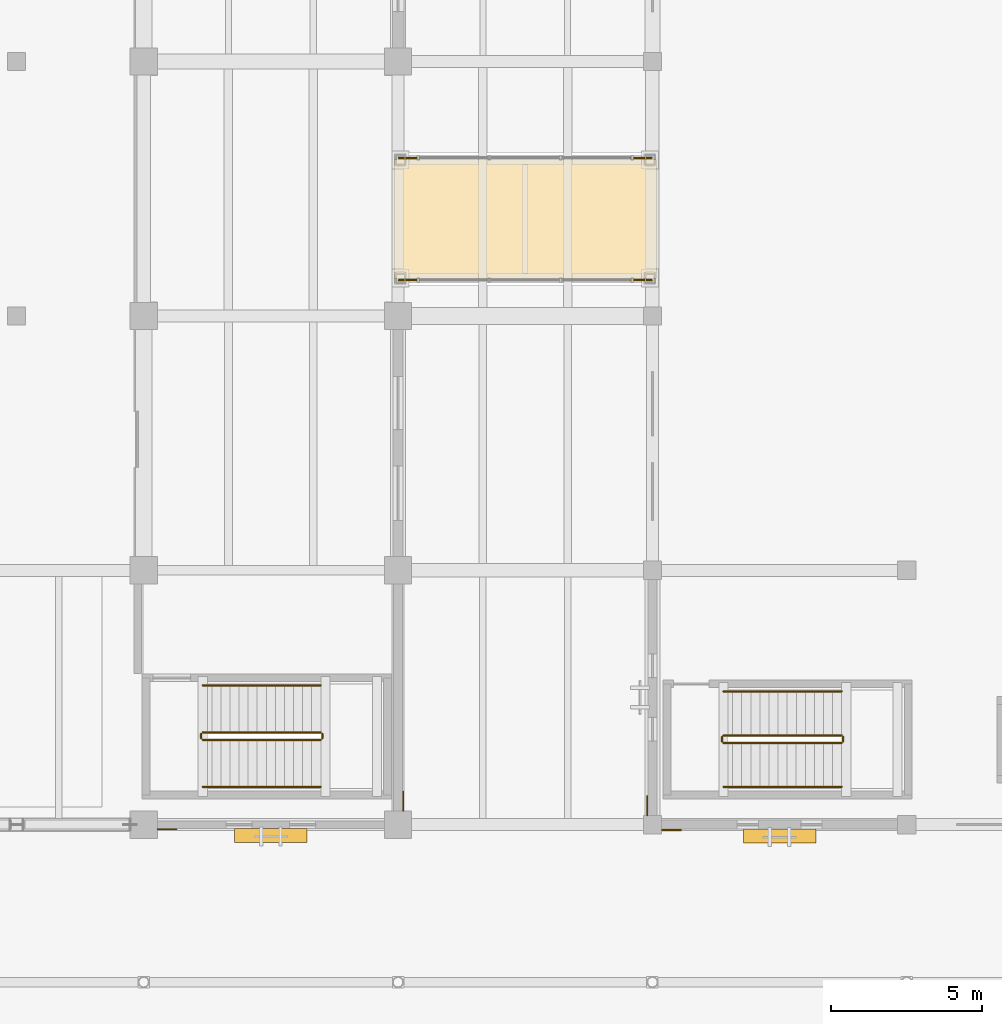
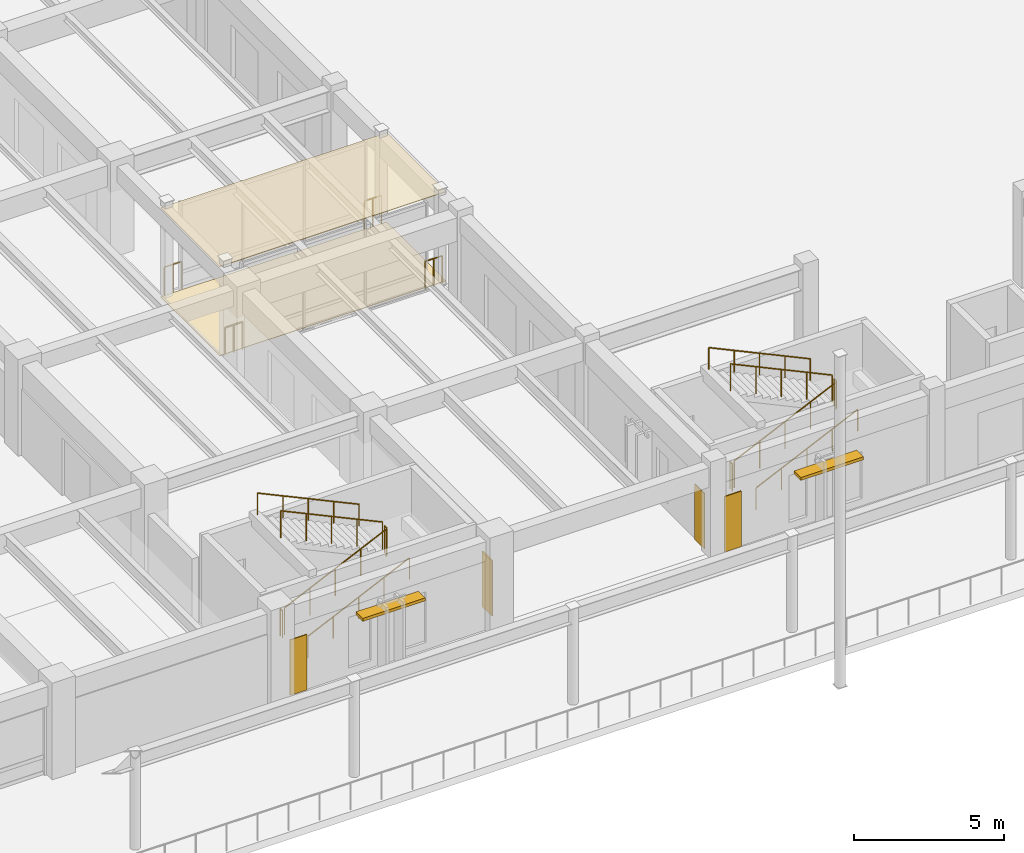
# One storey, part 109 of 135: 16 railings, 6 coverings, 2 shading devices.
"""IFC4 building model written with IfcOpenShell, lengths in metres."""

from ifc_helpers import new_model, si_unit, direction, frame, origin, origin_2d, place, context, subcontext, project, spatial, polyline, rectangle, circle, outline, extrude, material, layer, layer_set, type_object, element, save


model = new_model("IFC4")

# Units and contexts
model_context = context("Model", 3, precision=1e-05, world=origin(), true_north=direction((0.0, 1.0)))
body_context = subcontext(model_context, "Body", "Model", "MODEL_VIEW")
ifc_project = project(units=[si_unit("LENGTHUNIT", "METRE"), si_unit("AREAUNIT", "SQUARE_METRE"), si_unit("VOLUMEUNIT", "CUBIC_METRE"), si_unit("PLANEANGLEUNIT", "RADIAN"), si_unit("MASSUNIT", "GRAM", prefix="KILO")], contexts=[model_context])

# Site, building, storey
site_placement = place(None, origin())
site = spatial("IfcSite", under=ifc_project, at=site_placement, CompositionType="ELEMENT")
building_placement = place(site_placement, origin())
building = spatial("IfcBuilding", under=site, at=building_placement, Name="Cumbredor Promenade Congress Hotel", CompositionType="ELEMENT")
storey_placement = place(building_placement, origin())
storey = spatial("IfcBuildingStorey", under=building, at=storey_placement, Name="L00", CompositionType="ELEMENT", Elevation=0.0)

# Coverings
ifc_material_1 = material(Name="Acoustic mineral-fiber and gypsum ceiling")
ifc_layer_1 = layer(ifc_material_1, 0.028076171875, Name="Acoustic mineral-fiber and gypsum ceiling")
ifc_layer_set_1 = layer_set([ifc_layer_1], Name="Acoustic mineral-fiber and gypsum ceiling")
covering_type_1 = type_object("IfcCoveringType", Name="Acoustic Perforated Gypsum Ceiling CLG-03 28mm", PredefinedType="CEILING", material=ifc_layer_set_1)
covering_1_placement = place(storey_placement, frame((0.0, 0.0, 3.612060546875)))
element("IfcCovering", 1, at=covering_1_placement, inside=storey, type_object=covering_type_1, Name="L00 Central Plenary-to-Spa Pool Bridge Concourse Acoustic Ceiling", PredefinedType="CEILING", context=body_context, shape_type="SweptSolid", body=[
    extrude(outline(polyline([(67.06005859375, 26.429931640625), (67.06005859375, 30.3701171875), (75.739990234375, 30.3701171875), (75.739990234375, 26.429931640625), (67.06005859375, 26.429931640625)])), origin(), (0.0, 0.0, 1.0), 0.02783203125),
])
ifc_material_2 = material(Name="Precast concrete C40/50", Category="concrete")
ifc_layer_2 = layer(ifc_material_2, 0.044921875, Name="Precast concrete C40/50", Category="concrete")
ifc_layer_set_2 = layer_set([ifc_layer_2], Name="Precast concrete C40/50")
covering_type_2 = type_object("IfcCoveringType", Name="Board-Formed Architectural Cladding Panel 45mm", PredefinedType="CLADDING", material=ifc_layer_set_2)
covering_2_placement = place(storey_placement, origin())
element("IfcCovering", 2, at=covering_2_placement, inside=storey, type_object=covering_type_2, Name="L00 Facade Stone Cladding Pier 008", PredefinedType="CLADDING", context=body_context, shape_type="SweptSolid", body=[
    extrude(outline(polyline([(67.35009765625, 8.85107421875), (67.35009765625, 9.5009765625), (67.39501953125, 9.5009765625), (67.39501953125, 8.85107421875), (67.35009765625, 8.85107421875)])), origin(), (0.0, 0.0, 1.0), 2.25),
])
covering_3_placement = place(storey_placement, origin())
element("IfcCovering", 3, at=covering_3_placement, inside=storey, type_object=covering_type_2, Name="L00 Facade Stone Cladding Pier 018", PredefinedType="CLADDING", context=body_context, shape_type="SweptSolid", body=[
    extrude(outline(polyline([(75.90087890625, 8.25), (76.551025390625, 8.25), (76.551025390625, 8.205078125), (75.90087890625, 8.205078125), (75.90087890625, 8.25)])), origin(), (0.0, 0.0, 1.0), 2.25),
])

# Shading devices
ifc_material_3 = material(Name="Thermally broken anodized aluminium", Category="aluminium")
shading_device_type = type_object("IfcShadingDeviceType", Name="Horizontal Bronze Jalousie Louvre JAL-01", PredefinedType="JALOUSIE", material=ifc_material_3)
for number, where, z_axis, x_axis, name in (
    (4, (63.0, 8.044921875, 2.35986328125), (0.0, 0.0, 1.0), (1.0, 0.0, 0.0), "L00 Horizontal Bronze Jalousie 003"),
    (5, (79.800048828125, 8.02490234375, 2.2099609375), (0.0, 0.0, 1.0), (1.0, 0.0, 0.0), "L00 Horizontal Bronze Jalousie 011"),
):
    element("IfcShadingDevice", number, at=place(storey_placement, frame(where, z_axis=z_axis, x_axis=x_axis)), inside=storey, type_object=shading_device_type, Name=name, PredefinedType="JALOUSIE", context=body_context, shape_type="SweptSolid", body=[
        extrude(rectangle(XDim=2.39990234375, YDim=0.449951171875, at=origin_2d()), origin(), (0.0, 0.0, 1.0), 0.1201171875),
    ])

# Railings
ifc_material_4 = material(Name="Brushed stainless steel", Category="steel")
railing_type_1 = type_object("IfcRailingType", Name="Interior Void & Stair Guardrail GR-1100", PredefinedType="GUARDRAIL", material=ifc_material_4)
railing_1_placement = place(storey_placement, frame((60.75, 11.199951171875, 0.139892578125)))
element("IfcRailing", 6, at=railing_1_placement, inside=storey, type_object=railing_type_1, Name="L00 ST-05 stair guard 1", PredefinedType="GUARDRAIL", context=body_context, shape_type="SweptSolid", body=[
    extrude(circle(Radius=0.02392578125, at=origin_2d()), frame((0.0, 0.0, 1.09619140625), z_axis=(0.906172994947, 0.0, 0.42290720404), x_axis=(0.0, 1.0, 0.0)), (0.0, 0.0, 1.0), 4.3037109375),
    extrude(circle(Radius=0.02099609375, at=origin_2d()), origin(), (0.0, 0.0, 1.0), 1.072021484375),
    extrude(circle(Radius=0.02099609375, at=origin_2d()), frame((0.97509765625, 0.0, 0.455078125)), (0.0, 0.0, 1.0), 1.072021484375),
    extrude(circle(Radius=0.02099609375, at=origin_2d()), frame((1.949951171875, 0.0, 0.91015625)), (0.0, 0.0, 1.0), 1.072021484375),
    extrude(circle(Radius=0.02099609375, at=origin_2d()), frame((2.9248046875, 0.0, 1.364990234375)), (0.0, 0.0, 1.0), 1.072021484375),
    extrude(circle(Radius=0.02099609375, at=origin_2d()), frame((3.89990234375, 0.0, 1.820068359375)), (0.0, 0.0, 1.0), 1.072021484375),
])
railing_2_placement = place(storey_placement, frame((64.699951171875, 11.25, 1.9599609375)))
element("IfcRailing", 7, at=railing_2_placement, inside=storey, type_object=railing_type_1, Name="L00 ST-05 stair guard 2", PredefinedType="GUARDRAIL", context=body_context, shape_type="SweptSolid", body=[
    extrude(circle(Radius=0.02392578125, at=origin_2d()), frame((0.0, 0.0, 1.09619140625), z_axis=(0.0, 1.0, 0.0), x_axis=(-1.0, 0.0, 0.0)), (0.0, 0.0, 1.0), 0.14990234375),
    extrude(circle(Radius=0.02099609375, at=origin_2d()), origin(), (0.0, 0.0, 1.0), 1.072021484375),
    extrude(circle(Radius=0.02099609375, at=origin_2d()), frame((0.0, 0.14990234375, 0.0)), (0.0, 0.0, 1.0), 1.072021484375),
])
railing_3_placement = place(storey_placement, frame((64.64990234375, 11.449951171875, 2.10009765625)))
element("IfcRailing", 8, at=railing_3_placement, inside=storey, type_object=railing_type_1, Name="L00 ST-05 stair guard 3", PredefinedType="GUARDRAIL", context=body_context, shape_type="SweptSolid", body=[
    extrude(circle(Radius=0.02392578125, at=origin_2d()), frame((0.0, 0.0, 1.09619140625), z_axis=(-0.906194733976, 0.0, 0.422860620199), x_axis=(0.0, -1.0, 0.0)), (0.0, 0.0, 1.0), 4.3037109375),
    extrude(circle(Radius=0.02099609375, at=origin_2d()), origin(), (0.0, 0.0, 1.0), 1.072021484375),
    extrude(circle(Radius=0.02099609375, at=origin_2d()), frame((-0.97509765625, 0.0, 0.455078125)), (0.0, 0.0, 1.0), 1.072021484375),
    extrude(circle(Radius=0.02099609375, at=origin_2d()), frame((-1.949951171875, 0.0, 0.909912109375)), (0.0, 0.0, 1.0), 1.072021484375),
    extrude(circle(Radius=0.02099609375, at=origin_2d()), frame((-2.9248046875, 0.0, 1.36474609375)), (0.0, 0.0, 1.0), 1.072021484375),
    extrude(circle(Radius=0.02099609375, at=origin_2d()), frame((-3.89990234375, 0.0, 1.81982421875)), (0.0, 0.0, 1.0), 1.072021484375),
])
railing_4_placement = place(storey_placement, frame((60.699951171875, 11.25, 0.0)))
element("IfcRailing", 9, at=railing_4_placement, inside=storey, type_object=railing_type_1, Name="L00 ST-05 stair guard 4", PredefinedType="GUARDRAIL", context=body_context, shape_type="SweptSolid", body=[
    extrude(circle(Radius=0.02392578125, at=origin_2d()), frame((0.0, 0.0, 1.09619140625), z_axis=(0.0, 1.0, 0.0), x_axis=(-1.0, 0.0, 0.0)), (0.0, 0.0, 1.0), 0.14990234375),
    extrude(circle(Radius=0.02099609375, at=origin_2d()), origin(), (0.0, 0.0, 1.0), 1.072021484375),
    extrude(circle(Radius=0.02099609375, at=origin_2d()), frame((0.0, 0.14990234375, 0.0)), (0.0, 0.0, 1.0), 1.072021484375),
])
railing_5_placement = place(storey_placement, frame((77.949951171875, 11.10009765625, 0.139892578125)))
element("IfcRailing", 10, at=railing_5_placement, inside=storey, type_object=railing_type_1, Name="L00 ST-11 stair guard 1", PredefinedType="GUARDRAIL", context=body_context, shape_type="SweptSolid", body=[
    extrude(circle(Radius=0.02392578125, at=origin_2d()), frame((0.0, 0.0, 1.09619140625), z_axis=(0.906183139995, 0.0, 0.422885465331), x_axis=(0.0, 1.0, 0.0)), (0.0, 0.0, 1.0), 4.303955078125),
    extrude(circle(Radius=0.02099609375, at=origin_2d()), origin(), (0.0, 0.0, 1.0), 1.072021484375),
    extrude(circle(Radius=0.02099609375, at=origin_2d()), frame((0.97509765625, 0.0, 0.455078125)), (0.0, 0.0, 1.0), 1.072021484375),
    extrude(circle(Radius=0.02099609375, at=origin_2d()), frame((1.9501953125, 0.0, 0.91015625)), (0.0, 0.0, 1.0), 1.072021484375),
    extrude(circle(Radius=0.02099609375, at=origin_2d()), frame((2.925048828125, 0.0, 1.364990234375)), (0.0, 0.0, 1.0), 1.072021484375),
    extrude(circle(Radius=0.02099609375, at=origin_2d()), frame((3.900146484375, 0.0, 1.820068359375)), (0.0, 0.0, 1.0), 1.072021484375),
])
railing_6_placement = place(storey_placement, frame((81.89990234375, 11.14990234375, 1.9599609375)))
element("IfcRailing", 11, at=railing_6_placement, inside=storey, type_object=railing_type_1, Name="L00 ST-11 stair guard 2", PredefinedType="GUARDRAIL", context=body_context, shape_type="SweptSolid", body=[
    extrude(circle(Radius=0.02392578125, at=origin_2d()), frame((0.0, 0.0, 1.09619140625), z_axis=(0.0, 1.0, 0.0), x_axis=(-1.0, 0.0, 0.0)), (0.0, 0.0, 1.0), 0.150146484375),
    extrude(circle(Radius=0.02099609375, at=origin_2d()), origin(), (0.0, 0.0, 1.0), 1.072021484375),
    extrude(circle(Radius=0.02099609375, at=origin_2d()), frame((0.0, 0.150146484375, 0.0)), (0.0, 0.0, 1.0), 1.072021484375),
])
railing_7_placement = place(storey_placement, frame((81.85009765625, 11.35009765625, 2.10009765625)))
element("IfcRailing", 12, at=railing_7_placement, inside=storey, type_object=railing_type_1, Name="L00 ST-11 stair guard 3", PredefinedType="GUARDRAIL", context=body_context, shape_type="SweptSolid", body=[
    extrude(circle(Radius=0.02392578125, at=origin_2d()), frame((0.0, 0.0, 1.09619140625), z_axis=(-0.906204877032, 0.0, 0.422838882842), x_axis=(0.0, -1.0, 0.0)), (0.0, 0.0, 1.0), 4.3037109375),
    extrude(circle(Radius=0.02099609375, at=origin_2d()), origin(), (0.0, 0.0, 1.0), 1.072021484375),
    extrude(circle(Radius=0.02099609375, at=origin_2d()), frame((-0.97509765625, 0.0, 0.455078125)), (0.0, 0.0, 1.0), 1.072021484375),
    extrude(circle(Radius=0.02099609375, at=origin_2d()), frame((-1.9501953125, 0.0, 0.909912109375)), (0.0, 0.0, 1.0), 1.072021484375),
    extrude(circle(Radius=0.02099609375, at=origin_2d()), frame((-2.925048828125, 0.0, 1.36474609375)), (0.0, 0.0, 1.0), 1.072021484375),
    extrude(circle(Radius=0.02099609375, at=origin_2d()), frame((-3.900146484375, 0.0, 1.81982421875)), (0.0, 0.0, 1.0), 1.072021484375),
])
railing_8_placement = place(storey_placement, frame((77.89990234375, 11.14990234375, 0.0)))
element("IfcRailing", 13, at=railing_8_placement, inside=storey, type_object=railing_type_1, Name="L00 ST-11 stair guard 4", PredefinedType="GUARDRAIL", context=body_context, shape_type="SweptSolid", body=[
    extrude(circle(Radius=0.02392578125, at=origin_2d()), frame((0.0, 0.0, 1.09619140625), z_axis=(0.0, 1.0, 0.0), x_axis=(-1.0, 0.0, 0.0)), (0.0, 0.0, 1.0), 0.150146484375),
    extrude(circle(Radius=0.02099609375, at=origin_2d()), origin(), (0.0, 0.0, 1.0), 1.072021484375),
    extrude(circle(Radius=0.02099609375, at=origin_2d()), frame((0.0, 0.150146484375, 0.0)), (0.0, 0.0, 1.0), 1.072021484375),
])

# Covering
ifc_material_5 = material(Name="Porcelain stoneware tile", Category="masonry")
ifc_layer_3 = layer(ifc_material_5, 0.02001953125, Name="Porcelain stoneware tile", Category="masonry")
ifc_layer_set_3 = layer_set([ifc_layer_3], Name="Porcelain stoneware tile")
covering_type_3 = type_object("IfcCoveringType", Name="Porcelain Stoneware Flooring FLR-01 20mm", PredefinedType="FLOORING", material=ifc_layer_set_3)
covering_4_placement = place(storey_placement, origin())
element("IfcCovering", 14, at=covering_4_placement, inside=storey, type_object=covering_type_3, Name="L00 Central Plenary-to-Spa Pool Bridge Concourse Porcelain Flooring", PredefinedType="FLOORING", context=body_context, shape_type="SweptSolid", body=[
    extrude(outline(polyline([(67.06005859375, 26.429931640625), (67.06005859375, 30.3701171875), (75.739990234375, 30.3701171875), (75.739990234375, 26.429931640625), (67.06005859375, 26.429931640625)])), origin(), (0.0, 0.0, 1.0), 0.02001953125),
])

# Railings
railing_type_2 = type_object("IfcRailingType", Name="Sky Garden Glass-and-Steel Balustrade BAL-1150", PredefinedType="BALUSTRADE", material=ifc_material_4)
for number, where, name in (
    (15, (67.22998046875, 26.3798828125, 0.0), "L00 Central Plenary-to-Spa Pool Bridge End Guardrail WS"),
    (16, (67.22998046875, 30.419921875, 0.0), "L00 Central Plenary-to-Spa Pool Bridge End Guardrail WN"),
):
    element("IfcRailing", number, at=place(storey_placement, frame(where)), inside=storey, type_object=railing_type_2, Name=name, PredefinedType="BALUSTRADE", context=body_context, shape_type="SweptSolid", body=[
        extrude(circle(Radius=0.02392578125, at=origin_2d()), frame((0.0, 0.0, 1.1259765625), z_axis=(1.0, 0.0, 0.0), x_axis=(0.0, 1.0, 0.0)), (0.0, 0.0, 1.0), 0.669921875),
        extrude(circle(Radius=0.02099609375, at=origin_2d()), origin(), (0.0, 0.0, 1.0), 1.101806640625),
        extrude(circle(Radius=0.02099609375, at=origin_2d()), frame((0.3349609375, 0.0, 0.0)), (0.0, 0.0, 1.0), 1.101806640625),
        extrude(circle(Radius=0.02099609375, at=origin_2d()), frame((0.669921875, 0.0, 0.0)), (0.0, 0.0, 1.0), 1.101806640625),
    ])
for number, where, name in (
    (17, (74.89990234375, 26.3798828125, 0.0), "L00 Central Plenary-to-Spa Pool Bridge End Guardrail ES"),
    (18, (74.89990234375, 30.419921875, 0.0), "L00 Central Plenary-to-Spa Pool Bridge End Guardrail EN"),
):
    element("IfcRailing", number, at=place(storey_placement, frame(where)), inside=storey, type_object=railing_type_2, Name=name, PredefinedType="BALUSTRADE", context=body_context, shape_type="SweptSolid", body=[
        extrude(circle(Radius=0.02392578125, at=origin_2d()), frame((0.0, 0.0, 1.1259765625), z_axis=(1.0, 0.0, 0.0), x_axis=(0.0, 1.0, 0.0)), (0.0, 0.0, 1.0), 0.670166015625),
        extrude(circle(Radius=0.02099609375, at=origin_2d()), origin(), (0.0, 0.0, 1.0), 1.101806640625),
        extrude(circle(Radius=0.02099609375, at=origin_2d()), frame((0.3349609375, 0.0, 0.0)), (0.0, 0.0, 1.0), 1.101806640625),
        extrude(circle(Radius=0.02099609375, at=origin_2d()), frame((0.670166015625, 0.0, 0.0)), (0.0, 0.0, 1.0), 1.101806640625),
    ])
railing_type_3 = type_object("IfcRailingType", Name="Stair Pitch Handrail HR-900", PredefinedType="HANDRAIL", material=ifc_material_4)
railing_9_placement = place(storey_placement, frame((60.75, 9.64990234375, 0.139892578125)))
element("IfcRailing", 19, at=railing_9_placement, inside=storey, type_object=railing_type_3, Name="L00 ST-05 stair handrail 1", PredefinedType="HANDRAIL", context=body_context, shape_type="SweptSolid", body=[
    extrude(circle(Radius=0.02392578125, at=origin_2d()), frame((0.0, 0.0, 0.8759765625), z_axis=(0.906172994947, 0.0, 0.42290720404), x_axis=(0.0, 1.0, 0.0)), (0.0, 0.0, 1.0), 4.3037109375),
    extrude(circle(Radius=0.02099609375, at=origin_2d()), origin(), (0.0, 0.0, 1.0), 0.851806640625),
    extrude(circle(Radius=0.02099609375, at=origin_2d()), frame((0.97509765625, 0.0, 0.455078125)), (0.0, 0.0, 1.0), 0.851806640625),
    extrude(circle(Radius=0.02099609375, at=origin_2d()), frame((1.949951171875, 0.0, 0.91015625)), (0.0, 0.0, 1.0), 0.851806640625),
    extrude(circle(Radius=0.02099609375, at=origin_2d()), frame((2.9248046875, 0.0, 1.364990234375)), (0.0, 0.0, 1.0), 0.851806640625),
    extrude(circle(Radius=0.02099609375, at=origin_2d()), frame((3.89990234375, 0.0, 1.820068359375)), (0.0, 0.0, 1.0), 0.851806640625),
])
railing_10_placement = place(storey_placement, frame((64.64990234375, 13.0, 2.10009765625)))
element("IfcRailing", 20, at=railing_10_placement, inside=storey, type_object=railing_type_3, Name="L00 ST-05 stair handrail 2", PredefinedType="HANDRAIL", context=body_context, shape_type="SweptSolid", body=[
    extrude(circle(Radius=0.02392578125, at=origin_2d()), frame((0.0, 0.0, 0.8759765625), z_axis=(-0.906194733976, 0.0, 0.422860620199), x_axis=(0.0, -1.0, 0.0)), (0.0, 0.0, 1.0), 4.3037109375),
    extrude(circle(Radius=0.02099609375, at=origin_2d()), origin(), (0.0, 0.0, 1.0), 0.851806640625),
    extrude(circle(Radius=0.02099609375, at=origin_2d()), frame((-0.97509765625, 0.0, 0.455078125)), (0.0, 0.0, 1.0), 0.851806640625),
    extrude(circle(Radius=0.02099609375, at=origin_2d()), frame((-1.949951171875, 0.0, 0.909912109375)), (0.0, 0.0, 1.0), 0.851806640625),
    extrude(circle(Radius=0.02099609375, at=origin_2d()), frame((-2.9248046875, 0.0, 1.36474609375)), (0.0, 0.0, 1.0), 0.851806640625),
    extrude(circle(Radius=0.02099609375, at=origin_2d()), frame((-3.89990234375, 0.0, 1.81982421875)), (0.0, 0.0, 1.0), 0.851806640625),
])
railing_11_placement = place(storey_placement, frame((77.949951171875, 9.64990234375, 0.139892578125)))
element("IfcRailing", 21, at=railing_11_placement, inside=storey, type_object=railing_type_3, Name="L00 ST-11 stair handrail 1", PredefinedType="HANDRAIL", context=body_context, shape_type="SweptSolid", body=[
    extrude(circle(Radius=0.02392578125, at=origin_2d()), frame((0.0, 0.0, 0.8759765625), z_axis=(0.906183139995, 0.0, 0.422885465331), x_axis=(0.0, 1.0, 0.0)), (0.0, 0.0, 1.0), 4.303955078125),
    extrude(circle(Radius=0.02099609375, at=origin_2d()), origin(), (0.0, 0.0, 1.0), 0.851806640625),
    extrude(circle(Radius=0.02099609375, at=origin_2d()), frame((0.97509765625, 0.0, 0.455078125)), (0.0, 0.0, 1.0), 0.851806640625),
    extrude(circle(Radius=0.02099609375, at=origin_2d()), frame((1.9501953125, 0.0, 0.91015625)), (0.0, 0.0, 1.0), 0.851806640625),
    extrude(circle(Radius=0.02099609375, at=origin_2d()), frame((2.925048828125, 0.0, 1.364990234375)), (0.0, 0.0, 1.0), 0.851806640625),
    extrude(circle(Radius=0.02099609375, at=origin_2d()), frame((3.900146484375, 0.0, 1.820068359375)), (0.0, 0.0, 1.0), 0.851806640625),
])
railing_12_placement = place(storey_placement, frame((81.85009765625, 12.800048828125, 2.10009765625)))
element("IfcRailing", 22, at=railing_12_placement, inside=storey, type_object=railing_type_3, Name="L00 ST-11 stair handrail 2", PredefinedType="HANDRAIL", context=body_context, shape_type="SweptSolid", body=[
    extrude(circle(Radius=0.02392578125, at=origin_2d()), frame((0.0, 0.0, 0.8759765625), z_axis=(-0.906204877032, 0.0, 0.422838882842), x_axis=(0.0, -1.0, 0.0)), (0.0, 0.0, 1.0), 4.3037109375),
    extrude(circle(Radius=0.02099609375, at=origin_2d()), origin(), (0.0, 0.0, 1.0), 0.851806640625),
    extrude(circle(Radius=0.02099609375, at=origin_2d()), frame((-0.97509765625, 0.0, 0.455078125)), (0.0, 0.0, 1.0), 0.851806640625),
    extrude(circle(Radius=0.02099609375, at=origin_2d()), frame((-1.9501953125, 0.0, 0.909912109375)), (0.0, 0.0, 1.0), 0.851806640625),
    extrude(circle(Radius=0.02099609375, at=origin_2d()), frame((-2.925048828125, 0.0, 1.36474609375)), (0.0, 0.0, 1.0), 0.851806640625),
    extrude(circle(Radius=0.02099609375, at=origin_2d()), frame((-3.900146484375, 0.0, 1.81982421875)), (0.0, 0.0, 1.0), 0.851806640625),
])

# Coverings
ifc_material_6 = material(Name="Volcanic andesite ashlar cladding", Category="masonry")
ifc_layer_4 = layer(ifc_material_6, 0.034912109375, Name="Volcanic andesite ashlar cladding", Category="masonry")
ifc_layer_set_4 = layer_set([ifc_layer_4], Name="Volcanic andesite ashlar cladding")
covering_type_4 = type_object("IfcCoveringType", Name="Volcanic Andesite Ashlar Rainscreen Cladding 35mm", PredefinedType="CLADDING", material=ifc_layer_set_4)
covering_5_placement = place(storey_placement, origin())
element("IfcCovering", 23, at=covering_5_placement, inside=storey, type_object=covering_type_4, Name="L00 Facade Stone Cladding Pier 003", PredefinedType="CLADDING", context=body_context, shape_type="SweptSolid", body=[
    extrude(outline(polyline([(59.2509765625, 8.27001953125), (59.90087890625, 8.27001953125), (59.90087890625, 8.235107421875), (59.2509765625, 8.235107421875), (59.2509765625, 8.27001953125)])), origin(), (0.0, 0.0, 1.0), 2.25),
])
covering_6_placement = place(storey_placement, origin())
element("IfcCovering", 24, at=covering_6_placement, inside=storey, type_object=covering_type_4, Name="L00 Facade Stone Cladding Pier 021", PredefinedType="CLADDING", context=body_context, shape_type="SweptSolid", body=[
    extrude(outline(polyline([(75.449951171875, 8.700927734375), (75.449951171875, 9.35107421875), (75.4150390625, 9.35107421875), (75.4150390625, 8.700927734375), (75.449951171875, 8.700927734375)])), origin(), (0.0, 0.0, 1.0), 2.25),
])

save(model, "model.ifc")
